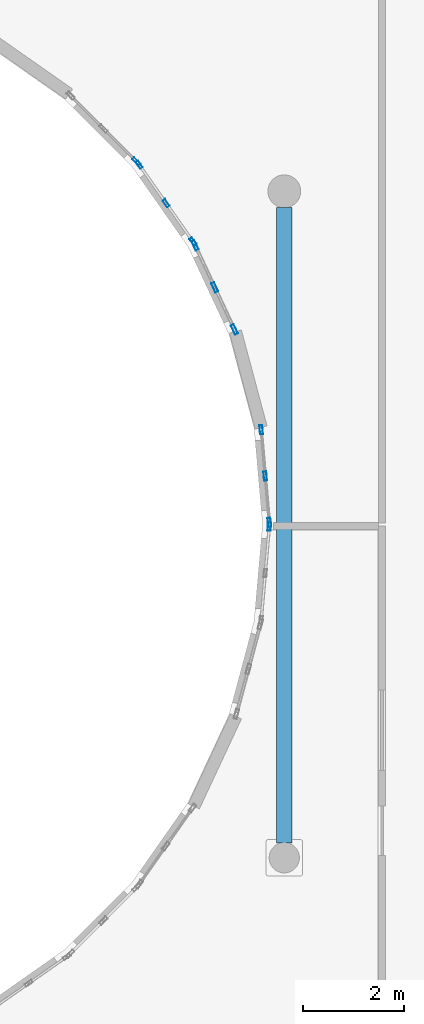
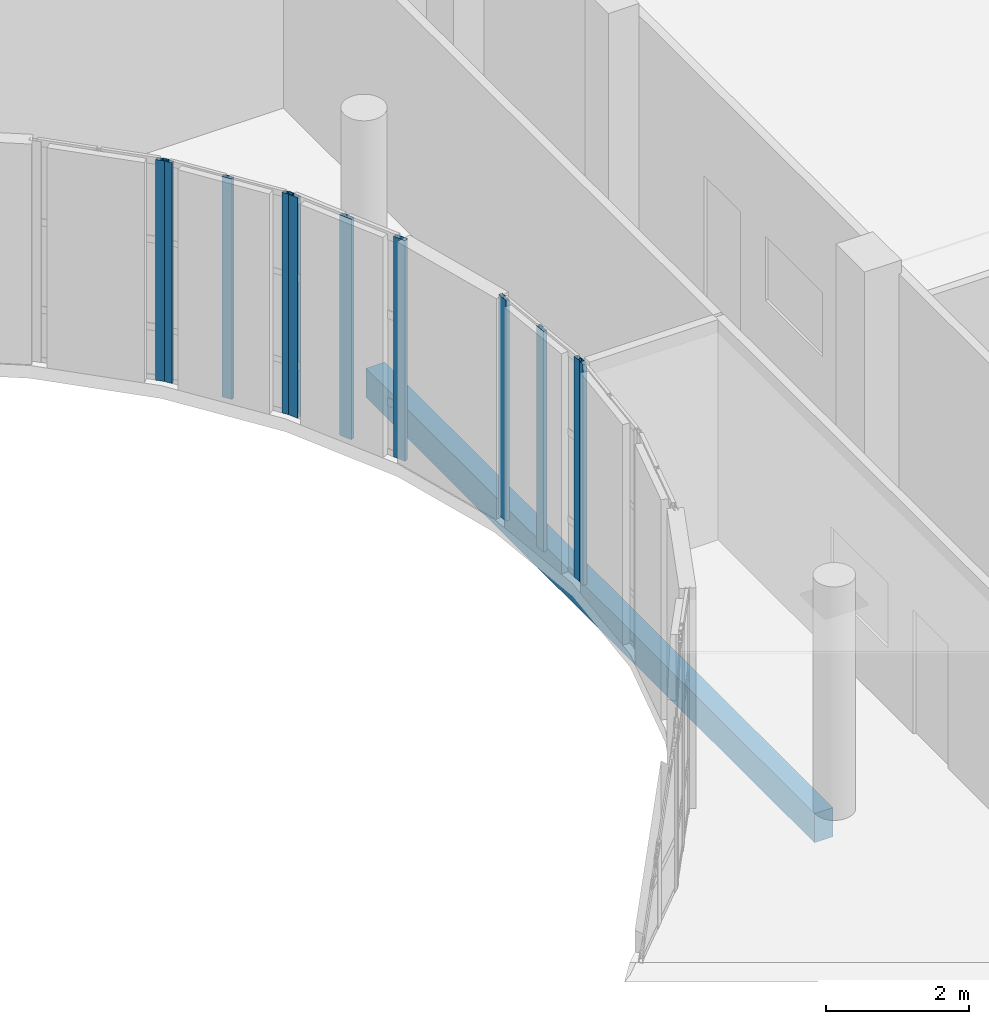
# One storey, part 30 of 92: 11 members, 1 beam, 5 elements without a shape of their own.
"""IFC4 building model written with IfcOpenShell, lengths in metres."""

import ifcopenshell
import ifcopenshell.guid

model = None  # the IFC model being written
_history = None  # IfcOwnerHistory: only IFC2X3 demands one
_inside = {}  # id of a spatial element -> (the spatial element, [elements in it])
_under = {}  # id of a project, library or spatial element -> (it, [spatial elements below it])
_declared = {}  # id of a project -> (the project, [libraries it declares])
_typed = {}  # id of a type object -> (the type object, [elements of that type])
_made_of = {}  # id of a material, layer set ... -> (it, [elements and type objects made of it])


def new_model(schema):
    """Start an empty IFC model of exactly this schema.

    Asked for "IFC4X3", IfcOpenShell would pick the latest addendum, in which some entities
    have other attributes; the version numbers below select the first issue.
    IFC2X3 requires an IfcOwnerHistory on every rooted entity: one is made here for all.
    """
    global model, _history
    if schema == "IFC4X3":
        model = ifcopenshell.file(schema_version=(4, 3, 0, 0))
    else:
        model = ifcopenshell.file(schema=schema)
    _inside.clear()
    _under.clear()
    _declared.clear()
    _typed.clear()
    _made_of.clear()
    _history = None
    if model.schema == "IFC2X3":
        org = make("IfcOrganization", Name="unknown")
        user = make(
            "IfcPersonAndOrganization",
            ThePerson=make("IfcPerson", FamilyName="unknown"),
            TheOrganization=org,
        )
        app = make(
            "IfcApplication",
            ApplicationDeveloper=org,
            Version="unknown",
            ApplicationFullName="unknown",
            ApplicationIdentifier="unknown",
        )
        _history = make(
            "IfcOwnerHistory",
            OwningUser=user,
            OwningApplication=app,
            ChangeAction="ADDED",
            CreationDate=0,
        )
    return model


def make(cls, **values):
    """One entity of the class cls with the attributes given. An attribute that is None is left unset."""
    return model.create_entity(
        cls, **{name: value for name, value in values.items() if value is not None}
    )


def rooted(cls, **values):
    """An entity with a GlobalId (a new one), such as an element, a storey or a relation."""
    return make(cls, GlobalId=ifcopenshell.guid.new(), OwnerHistory=_history, **values)


def si_unit(unit_type, name, prefix=None):
    """IfcSIUnit, for example si_unit("LENGTHUNIT", "METRE", prefix="MILLI")."""
    return make("IfcSIUnit", UnitType=unit_type, Prefix=prefix, Name=name)


def assignment(units):
    """IfcUnitAssignment: the units of a project."""
    return None if units is None else make("IfcUnitAssignment", Units=units)


def point(xyz):
    """IfcCartesianPoint."""
    return None if xyz is None else make("IfcCartesianPoint", Coordinates=xyz)


def direction(xyz):
    """IfcDirection."""
    return None if xyz is None else make("IfcDirection", DirectionRatios=xyz)


def frame(location, z_axis=None, x_axis=None):
    """IfcAxis2Placement3D, a coordinate frame: its origin and axes. An axis left out is left unset."""
    return make(
        "IfcAxis2Placement3D",
        Location=point(location),
        Axis=direction(z_axis),
        RefDirection=direction(x_axis),
    )


def frame_2d(location, x_axis=None):
    """IfcAxis2Placement2D, a coordinate frame in the plane: its origin and x axis."""
    return make(
        "IfcAxis2Placement2D", Location=point(location), RefDirection=direction(x_axis)
    )


def origin():
    """The frame at (0, 0, 0) with its axes left unset."""
    return frame((0.0, 0.0, 0.0))


def origin_2d():
    """The frame at (0, 0) in the plane with its x axis left unset."""
    return frame_2d((0.0, 0.0))


def place(relative_to, where):
    """IfcLocalPlacement: puts the frame where relative to a parent placement (None: the world)."""
    return make(
        "IfcLocalPlacement", PlacementRelTo=relative_to, RelativePlacement=where
    )


def context(
    kind, dimensions, precision=None, world=None, true_north=None, identifier=None
):
    """IfcGeometricRepresentationContext, for example the 3D "Model" context."""
    return make(
        "IfcGeometricRepresentationContext",
        ContextIdentifier=identifier,
        ContextType=kind,
        CoordinateSpaceDimension=dimensions,
        Precision=precision,
        WorldCoordinateSystem=world,
        TrueNorth=true_north,
    )


def subcontext(parent, identifier, kind, view, scale=None):
    """IfcGeometricRepresentationSubContext, for example "Body" below "Model"."""
    return make(
        "IfcGeometricRepresentationSubContext",
        ContextIdentifier=identifier,
        ContextType=kind,
        ParentContext=parent,
        TargetScale=scale,
        TargetView=view,
    )


def project(units=None, contexts=None):
    """IfcProject with its units and contexts."""
    return rooted(
        "IfcProject",
        Name="project",
        RepresentationContexts=contexts,
        UnitsInContext=assignment(units),
    )


def spatial(cls, under=None, at=None, **own):
    """A site, building, storey or space (cls), placed at a placement, below another one or the project."""
    s = rooted(cls, ObjectPlacement=at, **own)
    if under is not None:
        _under.setdefault(under.id(), (under, []))[1].append(s)
    return s


def profile(cls, at=None, kind="AREA", **sizes):
    """A parametric profile (cls). Its sizes go by their IFC names, for example OverallWidth=200.0."""
    return make(cls, ProfileType=kind, Position=at, **sizes)


def rectangle(**sizes):
    """IfcRectangleProfileDef."""
    return profile("IfcRectangleProfileDef", **sizes)


def hollow_rectangle(**sizes):
    """IfcRectangleHollowProfileDef."""
    return profile("IfcRectangleHollowProfileDef", **sizes)


def extrude(swept, where, along, depth):
    """IfcExtrudedAreaSolid: the profile swept, set in the frame where, extruded along a direction by depth."""
    return make(
        "IfcExtrudedAreaSolid",
        SweptArea=swept,
        Position=where,
        ExtrudedDirection=direction(along),
        Depth=depth,
    )


def shape(context_of_items, identifier, shape_type, items):
    """IfcShapeRepresentation: the items that make up one representation, for example the "Body"."""
    return make(
        "IfcShapeRepresentation",
        ContextOfItems=context_of_items,
        RepresentationIdentifier=identifier,
        RepresentationType=shape_type,
        Items=items,
    )


def material(Name=None, Category=None):
    """IfcMaterial."""
    return make("IfcMaterial", Name=Name, Category=Category)


def layer(
    of_material, thickness, ventilated=None, Name=None, Category=None, Priority=None
):
    """IfcMaterialLayer: one layer of a wall or slab, of a material (None: an air gap)."""
    return make(
        "IfcMaterialLayer",
        Material=of_material,
        LayerThickness=thickness,
        IsVentilated=ventilated,
        Name=Name,
        Category=Category,
        Priority=Priority,
    )


def layer_set(layers, Name=None):
    """IfcMaterialLayerSet."""
    return make("IfcMaterialLayerSet", MaterialLayers=layers, LayerSetName=Name)


def material_profile(
    of_material, cross_section, Name=None, Category=None, Priority=None
):
    """IfcMaterialProfile: a cross section and its material."""
    return make(
        "IfcMaterialProfile",
        Name=Name,
        Material=of_material,
        Profile=cross_section,
        Priority=Priority,
        Category=Category,
    )


def profile_set(profiles, Name=None, composite=None):
    """IfcMaterialProfileSet."""
    return make(
        "IfcMaterialProfileSet",
        Name=Name,
        MaterialProfiles=profiles,
        CompositeProfile=composite,
    )


def made_of(thing, what):
    """Note that an element or type object is made of a material, layer set ...; save() writes the relation."""
    if what is not None:
        _made_of.setdefault(what.id(), (what, []))[1].append(thing)
    return thing


def type_object(cls, material=None, **own):
    """A type object (cls), such as IfcWallType, which elements share."""
    return made_of(rooted(cls, **own), material)


def element(
    cls,
    number,
    at=None,
    inside=None,
    cuts=None,
    type_object=None,
    material=None,
    context=None,
    identifier="Body",
    shape_type=None,
    held_by="IfcProductDefinitionShape",
    body=None,
    shapes=None,
    **own,
):
    """One element of the class cls, such as IfcWall. Its Tag is "e" and its number.

    at: its placement. inside: the storey or other place that contains it. cuts: it is an
    opening in that element (IfcRelVoidsElement). A single representation is given by context,
    identifier, shape_type and body (its items); several are given by shapes. held_by: the class
    of the entity that holds the representations. save() writes the other relations.
    """
    e = rooted(cls, Tag="e%d" % number, ObjectPlacement=at, **own)
    if body is not None:
        shapes = [shape(context, identifier, shape_type, body)]
    if shapes is not None:
        e.Representation = make(held_by, Representations=shapes)
    if inside is not None:
        _inside.setdefault(inside.id(), (inside, []))[1].append(e)
    if cuts is not None:
        rooted(
            "IfcRelVoidsElement", RelatingBuildingElement=cuts, RelatedOpeningElement=e
        )
    if type_object is not None:
        _typed.setdefault(type_object.id(), (type_object, []))[1].append(e)
    return made_of(e, material)


def aggregate(whole, parts):
    """IfcRelAggregates: a whole, such as a stair, and the parts it consists of."""
    return rooted("IfcRelAggregates", RelatingObject=whole, RelatedObjects=parts)


def save(model, path):
    """Write the relations noted so far, then the file.

    IfcRelAggregates (storeys below a building ...), IfcRelContainedInSpatialStructure (elements
    in a storey), IfcRelDefinesByType, IfcRelAssociatesMaterial and IfcRelDeclares: one each for
    every whole, place, type object, material and project.
    """
    for whole, parts in _under.values():
        aggregate(whole, parts)
    for where, things in _inside.values():
        rooted(
            "IfcRelContainedInSpatialStructure",
            RelatedElements=things,
            RelatingStructure=where,
        )
    for kind, things in _typed.values():
        rooted("IfcRelDefinesByType", RelatedObjects=things, RelatingType=kind)
    for what, things in _made_of.values():
        rooted("IfcRelAssociatesMaterial", RelatedObjects=things, RelatingMaterial=what)
    for by, libraries in _declared.values():
        rooted("IfcRelDeclares", RelatingContext=by, RelatedDefinitions=libraries)
    model.write(path)


model = new_model("IFC4")

# Units and contexts
model_context = context("Model", 3, precision=1e-05, world=origin(), true_north=direction((0.0, 1.0)))
body_context = subcontext(model_context, "Body", "Model", "MODEL_VIEW")
ifc_project = project(units=[si_unit("LENGTHUNIT", "METRE"), si_unit("AREAUNIT", "SQUARE_METRE"), si_unit("VOLUMEUNIT", "CUBIC_METRE"), si_unit("PLANEANGLEUNIT", "RADIAN"), si_unit("MASSUNIT", "GRAM", prefix="KILO")], contexts=[model_context])

# Site, building, storey
site_placement = place(None, origin())
site = spatial("IfcSite", under=ifc_project, at=site_placement, CompositionType="ELEMENT")
building_placement = place(site_placement, origin())
building = spatial("IfcBuilding", under=site, at=building_placement, Name="Kelanivale Promenade Academy", CompositionType="ELEMENT")
storey_placement = place(building_placement, frame((0.0, 0.0, 8.199951171875)))
storey = spatial("IfcBuildingStorey", under=building, at=storey_placement, Name="L02", CompositionType="ELEMENT", Elevation=8.199951171875)

# Curtain wall, members
ifc_material_1 = material(Name="Bronze anodised aluminium and solar-control low-E glass", Category="aluminium")
ifc_layer_1 = layer(ifc_material_1, 0.159912109375)
ifc_layer_set_1 = layer_set([ifc_layer_1], Name="Bronze anodised aluminium and solar-control low-E glass")
curtain_wall_type_1 = type_object("IfcCurtainWallType", Name="CW-09 Curtain Wall 1650mm Module", PredefinedType="USERDEFINED", material=ifc_layer_set_1)
curtain_wall_1_placement = place(storey_placement, origin())
curtain_wall_1 = element("IfcCurtainWall", 1, at=curtain_wall_1_placement, inside=storey, type_object=curtain_wall_type_1, Name="L02 courtyard curtain wall CW-09", ObjectType="UNITISED GLAZING", PredefinedType="USERDEFINED")
ifc_material_2 = material(Name="Bronze anodised aluminium EN AW-6063 T6", Category="aluminium")
ifc_material_profile_1 = material_profile(ifc_material_2, hollow_rectangle(XDim=0.06005859375, YDim=0.159912109375, WallThickness=0.00390625, at=origin_2d()), Name="ALU 60x160x4.0")
ifc_profile_set_1 = profile_set([ifc_material_profile_1], Name="Bronze anodised aluminium EN AW-6063 T6")
member_type_1 = type_object("IfcMemberType", Name="CWM-01 ALU 60x160x4.0", PredefinedType="MULLION", material=ifc_profile_set_1)
member_1_placement = place(storey_placement, frame((73.023681640625, 62.404541015625, 0.0), z_axis=(0.0, 0.0, 1.0), x_axis=(-0.81915842439, -0.573567324515, 0.0)))
member_1 = element("IfcMember", 2, at=member_1_placement, type_object=member_type_1, Name="CW-09 mullion 1", PredefinedType="MULLION", context=body_context, shape_type="SweptSolid", body=[
    extrude(hollow_rectangle(XDim=0.06005859375, YDim=0.159912109375, WallThickness=0.00390625, at=origin_2d()), origin(), (0.0, 0.0, 1.0), 3.780029296875),
])
member_2_placement = place(storey_placement, frame((72.490966796875, 63.16552734375, 0.0), z_axis=(0.0, 0.0, 1.0), x_axis=(-0.81915842439, -0.573567324515, 0.0)))
member_2 = element("IfcMember", 3, at=member_2_placement, type_object=member_type_1, Name="CW-09 mullion 2", PredefinedType="MULLION", context=body_context, shape_type="SweptSolid", body=[
    extrude(hollow_rectangle(XDim=0.06005859375, YDim=0.159912109375, WallThickness=0.00390625, at=origin_2d()), origin(), (0.0, 0.0, 1.0), 3.780029296875),
])
member_3_placement = place(storey_placement, frame((71.958251953125, 63.926513671875, 0.0), z_axis=(0.0, 0.0, 1.0), x_axis=(-0.81915842439, -0.573567324515, 0.0)))
member_3 = element("IfcMember", 4, at=member_3_placement, type_object=member_type_1, Name="CW-09 mullion 3", PredefinedType="MULLION", context=body_context, shape_type="SweptSolid", body=[
    extrude(hollow_rectangle(XDim=0.06005859375, YDim=0.159912109375, WallThickness=0.00390625, at=origin_2d()), origin(), (0.0, 0.0, 1.0), 3.780029296875),
])
aggregate(curtain_wall_1, [member_1, member_2, member_3])

# Curtain wall, member
curtain_wall_2_placement = place(storey_placement, origin())
curtain_wall_2 = element("IfcCurtainWall", 5, at=curtain_wall_2_placement, inside=storey, type_object=curtain_wall_type_1, Name="L02 courtyard curtain wall CW-09", ObjectType="UNITISED GLAZING", PredefinedType="USERDEFINED")
member_4_placement = place(storey_placement, frame((74.536376953125, 56.758056640625, 0.0), z_axis=(0.0, 0.0, 1.0), x_axis=(-0.996199376727, 0.087102249164, 0.0)))
member_4 = element("IfcMember", 6, at=member_4_placement, type_object=member_type_1, Name="CW-09 mullion 3", PredefinedType="MULLION", context=body_context, shape_type="SweptSolid", body=[
    extrude(hollow_rectangle(XDim=0.06005859375, YDim=0.159912109375, WallThickness=0.00390625, at=origin_2d()), origin(), (0.0, 0.0, 1.0), 3.780029296875),
])
aggregate(curtain_wall_2, [member_4])

ifc_layer_2 = layer(ifc_material_1, 0.169921875)
ifc_layer_set_2 = layer_set([ifc_layer_2], Name="Bronze anodised aluminium and solar-control low-E glass")
curtain_wall_type_2 = type_object("IfcCurtainWallType", Name="CW-10 Curtain Wall 1800mm Module", PredefinedType="USERDEFINED", material=ifc_layer_set_2)
curtain_wall_3_placement = place(storey_placement, origin())
curtain_wall_3 = element("IfcCurtainWall", 7, at=curtain_wall_3_placement, inside=storey, type_object=curtain_wall_type_2, Name="L02 courtyard curtain wall CW-10", ObjectType="UNITISED GLAZING", PredefinedType="USERDEFINED")
ifc_material_profile_2 = material_profile(ifc_material_2, hollow_rectangle(XDim=0.06005859375, YDim=0.179931640625, WallThickness=0.00390625, at=origin_2d()), Name="ALU 60x180x4.0")
ifc_profile_set_2 = profile_set([ifc_material_profile_2], Name="Bronze anodised aluminium EN AW-6063 T6")
member_type_2 = type_object("IfcMemberType", Name="CWM-02 ALU 60x180x4.0", PredefinedType="MULLION", material=ifc_profile_set_2)
member_5_placement = place(storey_placement, frame((71.90380859375, 63.9912109375, 0.0), z_axis=(0.0, 0.0, 1.0), x_axis=(-0.707106781187, -0.707106781187, 0.0)))
member_5 = element("IfcMember", 8, at=member_5_placement, type_object=member_type_2, Name="CW-10 mullion 1", PredefinedType="MULLION", context=body_context, shape_type="SweptSolid", body=[
    extrude(hollow_rectangle(XDim=0.06005859375, YDim=0.179931640625, WallThickness=0.00390625, at=origin_2d()), origin(), (0.0, 0.0, 1.0), 3.780029296875),
])
aggregate(curtain_wall_3, [member_5])

# Curtain wall, members
curtain_wall_4_placement = place(storey_placement, origin())
curtain_wall_4 = element("IfcCurtainWall", 9, at=curtain_wall_4_placement, inside=storey, type_object=curtain_wall_type_2, Name="L02 courtyard curtain wall CW-10", ObjectType="UNITISED GLAZING", PredefinedType="USERDEFINED")
member_6_placement = place(storey_placement, frame((74.536376953125, 56.841796875, 0.0), z_axis=(0.0, 0.0, 1.0), x_axis=(-0.996185153601, -0.087264768066, 0.0)))
member_6 = element("IfcMember", 10, at=member_6_placement, type_object=member_type_2, Name="CW-10 mullion 1", PredefinedType="MULLION", context=body_context, shape_type="SweptSolid", body=[
    extrude(hollow_rectangle(XDim=0.06005859375, YDim=0.179931640625, WallThickness=0.00390625, at=origin_2d()), origin(), (0.0, 0.0, 1.0), 3.780029296875),
])
member_7_placement = place(storey_placement, frame((74.4560546875, 57.759521484375, 0.0), z_axis=(0.0, 0.0, 1.0), x_axis=(-0.996185153601, -0.087264768066, 0.0)))
member_7 = element("IfcMember", 11, at=member_7_placement, type_object=member_type_2, Name="CW-10 mullion 2", PredefinedType="MULLION", context=body_context, shape_type="SweptSolid", body=[
    extrude(hollow_rectangle(XDim=0.06005859375, YDim=0.179931640625, WallThickness=0.00390625, at=origin_2d()), origin(), (0.0, 0.0, 1.0), 3.780029296875),
])
member_8_placement = place(storey_placement, frame((74.375732421875, 58.677001953125, 0.0), z_axis=(0.0, 0.0, 1.0), x_axis=(-0.996185153601, -0.087264768066, 0.0)))
member_8 = element("IfcMember", 12, at=member_8_placement, type_object=member_type_2, Name="CW-10 mullion 3", PredefinedType="MULLION", context=body_context, shape_type="SweptSolid", body=[
    extrude(hollow_rectangle(XDim=0.06005859375, YDim=0.179931640625, WallThickness=0.00390625, at=origin_2d()), origin(), (0.0, 0.0, 1.0), 3.780029296875),
])
aggregate(curtain_wall_4, [member_6, member_7, member_8])

ifc_layer_3 = layer(ifc_material_1, 0.179931640625)
ifc_layer_set_3 = layer_set([ifc_layer_3], Name="Bronze anodised aluminium and solar-control low-E glass")
curtain_wall_type_3 = type_object("IfcCurtainWallType", Name="CW-08 Curtain Wall 1500mm Module", PredefinedType="USERDEFINED", material=ifc_layer_set_3)
curtain_wall_5_placement = place(storey_placement, origin())
curtain_wall_5 = element("IfcCurtainWall", 13, at=curtain_wall_5_placement, inside=storey, type_object=curtain_wall_type_3, Name="L02 courtyard curtain wall CW-08", ObjectType="UNITISED GLAZING", PredefinedType="USERDEFINED")
ifc_material_profile_3 = material_profile(ifc_material_2, hollow_rectangle(XDim=0.06494140625, YDim=0.199951171875, WallThickness=0.00439453125, at=origin_2d()), Name="ALU 65x200x4.5")
ifc_profile_set_3 = profile_set([ifc_material_profile_3], Name="Bronze anodised aluminium EN AW-6063 T6")
member_type_3 = type_object("IfcMemberType", Name="CWM-04 ALU 65x200x4.5", PredefinedType="MULLION", material=ifc_profile_set_3)
member_9_placement = place(storey_placement, frame((73.84423828125, 60.66455078125, 0.0), z_axis=(0.0, 0.0, 1.0), x_axis=(-0.906089128146, -0.423086860887, 0.0)))
member_9 = element("IfcMember", 14, at=member_9_placement, type_object=member_type_3, Name="CW-08 mullion 1", PredefinedType="MULLION", context=body_context, shape_type="SweptSolid", body=[
    extrude(hollow_rectangle(XDim=0.06494140625, YDim=0.199951171875, WallThickness=0.00439453125, at=origin_2d()), origin(), (0.0, 0.0, 1.0), 3.780029296875),
])
member_10_placement = place(storey_placement, frame((73.45556640625, 61.4970703125, 0.0), z_axis=(0.0, 0.0, 1.0), x_axis=(-0.906089128146, -0.423086860887, 0.0)))
member_10 = element("IfcMember", 15, at=member_10_placement, type_object=member_type_3, Name="CW-08 mullion 2", PredefinedType="MULLION", context=body_context, shape_type="SweptSolid", body=[
    extrude(hollow_rectangle(XDim=0.06494140625, YDim=0.199951171875, WallThickness=0.00439453125, at=origin_2d()), origin(), (0.0, 0.0, 1.0), 3.780029296875),
])
member_11_placement = place(storey_placement, frame((73.066650390625, 62.32958984375, 0.0), z_axis=(0.0, 0.0, 1.0), x_axis=(-0.906089128146, -0.423086860887, 0.0)))
member_11 = element("IfcMember", 16, at=member_11_placement, type_object=member_type_3, Name="CW-08 mullion 3", PredefinedType="MULLION", context=body_context, shape_type="SweptSolid", body=[
    extrude(hollow_rectangle(XDim=0.06494140625, YDim=0.199951171875, WallThickness=0.00439453125, at=origin_2d()), origin(), (0.0, 0.0, 1.0), 3.780029296875),
])
aggregate(curtain_wall_5, [member_9, member_10, member_11])

# Beam
ifc_material_3 = material(Name="Concrete C35/45", Category="concrete")
ifc_material_profile_4 = material_profile(ifc_material_3, rectangle(XDim=0.300048828125, YDim=0.5, at=origin_2d()), Name="RC-BM 300x500")
ifc_profile_set_4 = profile_set([ifc_material_profile_4], Name="Concrete C35/45")
beam_type = type_object("IfcBeamType", Name="JS-01 RC-BM 300x500", PredefinedType="JOIST", material=ifc_profile_set_4)
beam_placement = place(storey_placement, frame((74.83203125, 50.4951171875, -0.469970703125), z_axis=(0.0, 1.0, 0.0), x_axis=(-1.0, 0.0, 0.0)))
element("IfcBeam", 17, at=beam_placement, inside=storey, type_object=beam_type, Name="L02 beam JS-01", PredefinedType="JOIST", context=body_context, shape_type="SweptSolid", body=[
    extrude(rectangle(XDim=0.300048828125, YDim=0.5, at=origin_2d()), origin(), (0.0, 0.0, 1.0), 12.5849609375),
])

save(model, "model.ifc")
